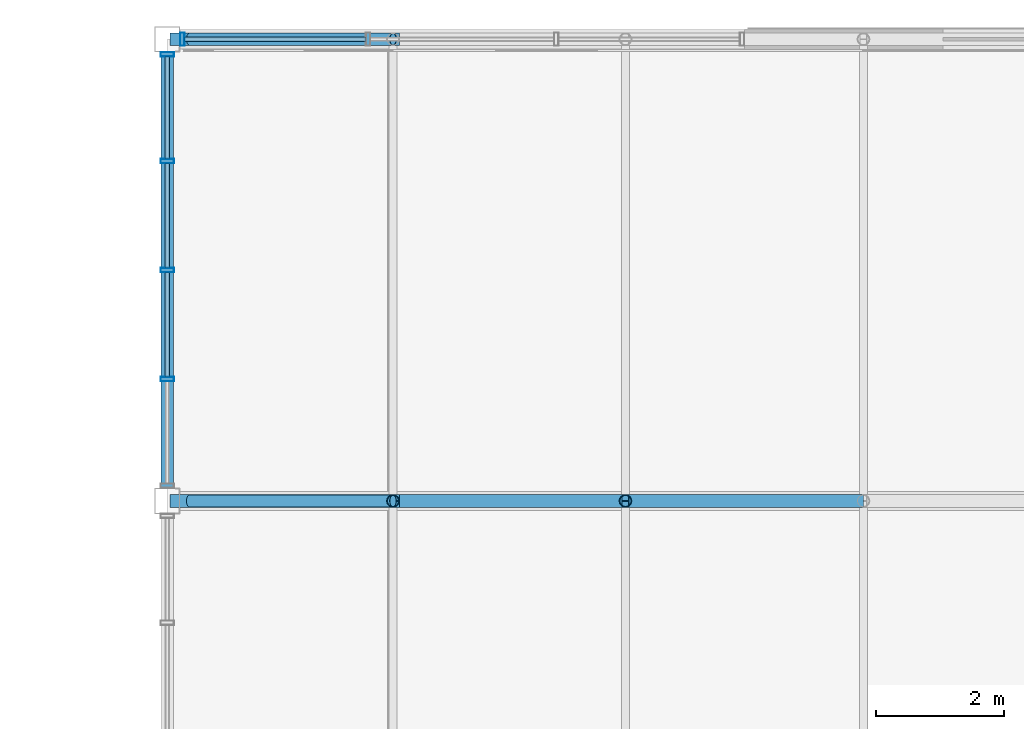
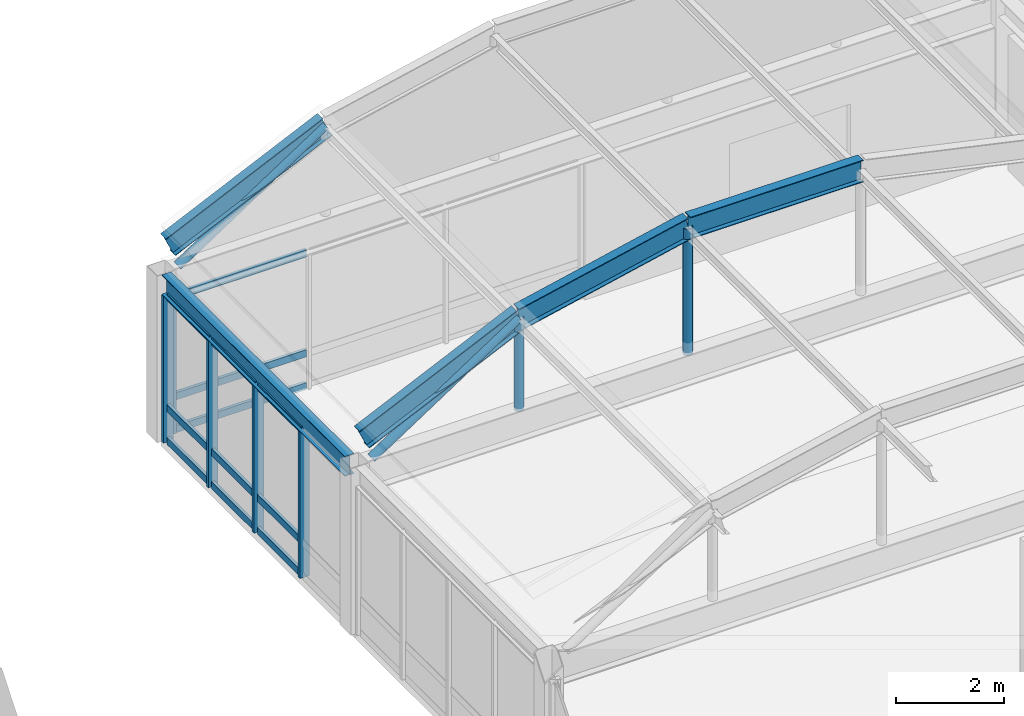
# One storey, part 57 of 106: 25 members, 1 beam, 2 elements without a shape of their own.
"""IFC4 building model written with IfcOpenShell, lengths in metres."""

from ifc_helpers import new_model, si_unit, direction, frame, origin, origin_2d, place, context, subcontext, project, spatial, hollow_rectangle, hollow_circle, i_section, extrude, material, material_profile, profile_set, type_object, element, aggregate, save


model = new_model("IFC4")

# Units and contexts
model_context = context("Model", 3, precision=1e-05, world=origin(), true_north=direction((0.0, 1.0)))
body_context = subcontext(model_context, "Body", "Model", "MODEL_VIEW")
ifc_project = project(units=[si_unit("LENGTHUNIT", "METRE"), si_unit("AREAUNIT", "SQUARE_METRE"), si_unit("VOLUMEUNIT", "CUBIC_METRE"), si_unit("PLANEANGLEUNIT", "RADIAN"), si_unit("MASSUNIT", "GRAM", prefix="KILO")], contexts=[model_context])

# Site, building, storey
site_placement = place(None, origin())
site = spatial("IfcSite", under=ifc_project, at=site_placement, CompositionType="ELEMENT")
building_placement = place(site_placement, origin())
building = spatial("IfcBuilding", under=site, at=building_placement, Name="Kazanami Central Library", CompositionType="ELEMENT")
storey_placement = place(building_placement, frame((0.0, 0.0, 12.800048828125)))
storey = spatial("IfcBuildingStorey", under=building, at=storey_placement, Name="L04", CompositionType="ELEMENT", Elevation=12.800048828125)

# Beam
ifc_material_1 = material(Name="Steel SN490B (325 MPa)", Category="steel")
ifc_material_profile_1 = material_profile(ifc_material_1, i_section(OverallWidth=0.199951171875, OverallDepth=0.449951171875, WebThickness=0.009033203125, FlangeThickness=0.013916015625, at=origin_2d()), Name="H-450x200x9x14")
ifc_profile_set_1 = profile_set([ifc_material_profile_1], Name="Steel SN490B (325 MPa)")
beam_type = type_object("IfcBeamType", Name="BM-SP-2", PredefinedType="SPANDREL", material=ifc_profile_set_1)
beam_placement = place(storey_placement, frame((45.0, 86.597900390625, 3.554931640625), z_axis=(0.0, 1.0, 0.0), x_axis=(-1.0, 0.0, 0.0)))
element("IfcBeam", 1, at=beam_placement, inside=storey, type_object=beam_type, Name="Girder SP-2 L04 6/N-O", PredefinedType="SPANDREL", context=body_context, shape_type="SweptSolid", body=[
    extrude(i_section(OverallWidth=0.199951171875, OverallDepth=0.449951171875, WebThickness=0.009033203125, FlangeThickness=0.013916015625, at=origin_2d()), origin(), (0.0, 0.0, 1.0), 6.80419921875),
])

# Members
ifc_material_profile_2 = material_profile(ifc_material_1, i_section(OverallWidth=0.199951171875, OverallDepth=0.5, WebThickness=0.010009765625, FlangeThickness=0.01611328125, at=origin_2d()), Name="H-500x200x10x16")
ifc_profile_set_2 = profile_set([ifc_material_profile_2], Name="Steel SN490B (325 MPa)")
member_type_1 = type_object("IfcMemberType", Name="MEM-AR-02", PredefinedType="CHORD", material=ifc_profile_set_2)
for number, where, z_axis, x_axis, name in (
    (2, (45.14990234375, 86.39990234375, 4.2548828125), (0.908074880538, 0.0, 0.41880784536), (0.0, 1.0, 0.0), "Barrel Vault Arch Rib AR-02 VAULT-WEST Grid N Seg 1"),
    (3, (48.519775390625, 86.39990234375, 5.80908203125), (0.976745687277, 0.0, 0.214401171606), (0.0, 1.0, 0.0), "Barrel Vault Arch Rib AR-02 VAULT-WEST Grid N Seg 2"),
    (4, (52.14453125, 86.39990234375, 6.604736328125), (1.0, 0.0, 0.0), (0.0, 1.0, 0.0), "Barrel Vault Arch Rib AR-02 VAULT-WEST Grid N Seg 3"),
    (5, (45.14990234375, 93.60009765625, 4.2548828125), (0.908074880538, 0.0, 0.41880784536), (0.0, 1.0, 0.0), "Barrel Vault Arch Rib AR-02 VAULT-WEST Grid O Seg 1"),
):
    element("IfcMember", number, at=place(storey_placement, frame(where, z_axis=z_axis, x_axis=x_axis)), inside=storey, type_object=member_type_1, Name=name, PredefinedType="CHORD", context=body_context, shape_type="SweptSolid", body=[
        extrude(i_section(OverallWidth=0.199951171875, OverallDepth=0.5, WebThickness=0.010009765625, FlangeThickness=0.01611328125, at=origin_2d()), origin(), (0.0, 0.0, 1.0), 3.7109375),
    ])

# Curtain wall, member
ifc_material_2 = material(Name="Acid-Etched Low-E Laminated Glass", Category="glass")
curtain_wall_type_1 = type_object("IfcCurtainWallType", Name="CW-8800x3080-M275", PredefinedType="USERDEFINED", material=ifc_material_2)
curtain_wall_1_placement = place(storey_placement, origin())
curtain_wall_1 = element("IfcCurtainWall", 6, at=curtain_wall_1_placement, inside=storey, type_object=curtain_wall_type_1, Name="Unitised Curtain Wall CW-42 L04 N-O-05", ObjectType="UNITISED CURTAIN WALL", PredefinedType="USERDEFINED")
ifc_material_3 = material(Name="Anodised Aluminium A6063-T5", Category="aluminium")
ifc_material_profile_3 = material_profile(ifc_material_3, hollow_rectangle(XDim=0.070068359375, YDim=0.2099609375, WallThickness=0.0048828125, at=origin_2d()), Name="ALU-MULL-70x210x5")
ifc_profile_set_3 = profile_set([ifc_material_profile_3], Name="Anodised Aluminium A6063-T5")
member_type_2 = type_object("IfcMemberType", Name="MEM-CW-M1", PredefinedType="MULLION", material=ifc_profile_set_3)
member_1_placement = place(storey_placement, frame((45.235107421875, 93.60009765625, 0.0), z_axis=(0.0, 0.0, 1.0), x_axis=(-1.0, 0.0, 0.0)))
member_1 = element("IfcMember", 7, at=member_1_placement, type_object=member_type_2, Name="CW-42 mullion 4", PredefinedType="MULLION", context=body_context, shape_type="SweptSolid", body=[
    extrude(hollow_rectangle(XDim=0.070068359375, YDim=0.2099609375, WallThickness=0.0048828125, at=origin_2d()), origin(), (0.0, 0.0, 1.0), 3.079833984375),
])

# Curtain wall, members
curtain_wall_type_2 = type_object("IfcCurtainWallType", Name="CW-6800x3330-M180", PredefinedType="USERDEFINED", material=ifc_material_2)
curtain_wall_2_placement = place(storey_placement, origin())
curtain_wall_2 = element("IfcCurtainWall", 8, at=curtain_wall_2_placement, inside=storey, type_object=curtain_wall_type_2, Name="Covered Link Bridge Curtain Wall CW-44 L04 W-6-12", ObjectType="UNITISED CURTAIN WALL", PredefinedType="USERDEFINED")
member_2_placement = place(storey_placement, frame((45.0, 88.300048828125, 0.0), z_axis=(0.0, 0.0, 1.0), x_axis=(0.0, 1.0, 0.0)))
member_2 = element("IfcMember", 9, at=member_2_placement, type_object=member_type_2, Name="CW-44 mullion 2", PredefinedType="MULLION", context=body_context, shape_type="SweptSolid", body=[
    extrude(hollow_rectangle(XDim=0.070068359375, YDim=0.2099609375, WallThickness=0.0048828125, at=origin_2d()), origin(), (0.0, 0.0, 1.0), 3.329833984375),
])
member_3_placement = place(storey_placement, frame((45.0, 90.0, 0.0), z_axis=(0.0, 0.0, 1.0), x_axis=(0.0, 1.0, 0.0)))
member_3 = element("IfcMember", 10, at=member_3_placement, type_object=member_type_2, Name="CW-44 mullion 3", PredefinedType="MULLION", context=body_context, shape_type="SweptSolid", body=[
    extrude(hollow_rectangle(XDim=0.070068359375, YDim=0.2099609375, WallThickness=0.0048828125, at=origin_2d()), origin(), (0.0, 0.0, 1.0), 3.329833984375),
])
member_4_placement = place(storey_placement, frame((45.0, 91.699951171875, 0.0), z_axis=(0.0, 0.0, 1.0), x_axis=(0.0, 1.0, 0.0)))
member_4 = element("IfcMember", 11, at=member_4_placement, type_object=member_type_2, Name="CW-44 mullion 4", PredefinedType="MULLION", context=body_context, shape_type="SweptSolid", body=[
    extrude(hollow_rectangle(XDim=0.070068359375, YDim=0.2099609375, WallThickness=0.0048828125, at=origin_2d()), origin(), (0.0, 0.0, 1.0), 3.329833984375),
])
member_5_placement = place(storey_placement, frame((45.0, 93.364990234375, 0.0), z_axis=(0.0, 0.0, 1.0), x_axis=(0.0, 1.0, 0.0)))
member_5 = element("IfcMember", 12, at=member_5_placement, type_object=member_type_2, Name="CW-44 mullion 5", PredefinedType="MULLION", context=body_context, shape_type="SweptSolid", body=[
    extrude(hollow_rectangle(XDim=0.070068359375, YDim=0.2099609375, WallThickness=0.0048828125, at=origin_2d()), origin(), (0.0, 0.0, 1.0), 3.329833984375),
])

# Member
ifc_material_profile_4 = material_profile(ifc_material_3, hollow_rectangle(XDim=0.070068359375, YDim=0.159912109375, WallThickness=0.00390625, at=origin_2d()), Name="ALU-TRAN-70x160x4")
ifc_profile_set_4 = profile_set([ifc_material_profile_4], Name="Anodised Aluminium A6063-T5")
member_type_3 = type_object("IfcMemberType", Name="MEM-CW-T1", PredefinedType="USERDEFINED", material=ifc_profile_set_4)
member_6_placement = place(storey_placement, frame((48.098388671875, 93.60009765625, 0.034912109375), z_axis=(-1.0, 0.0, 0.0), x_axis=(0.0, -1.0, 0.0)))
member_6 = element("IfcMember", 13, at=member_6_placement, type_object=member_type_3, Name="CW-42 transom 3.1", ObjectType="TRANSOM", PredefinedType="USERDEFINED", context=body_context, shape_type="SweptSolid", body=[
    extrude(hollow_rectangle(XDim=0.070068359375, YDim=0.159912109375, WallThickness=0.00390625, at=origin_2d()), origin(), (0.0, 0.0, 1.0), 2.828369140625),
])

member_7_placement = place(storey_placement, frame((48.098388671875, 93.60009765625, 0.780029296875), z_axis=(-1.0, 0.0, 0.0), x_axis=(0.0, -1.0, 0.0)))
member_7 = element("IfcMember", 14, at=member_7_placement, type_object=member_type_3, Name="CW-42 transom 3.2", ObjectType="TRANSOM", PredefinedType="USERDEFINED", context=body_context, shape_type="SweptSolid", body=[
    extrude(hollow_rectangle(XDim=0.070068359375, YDim=0.159912109375, WallThickness=0.00390625, at=origin_2d()), origin(), (0.0, 0.0, 1.0), 2.828369140625),
])

member_8_placement = place(storey_placement, frame((48.098388671875, 93.60009765625, 3.044921875), z_axis=(-1.0, 0.0, 0.0), x_axis=(0.0, -1.0, 0.0)))
member_8 = element("IfcMember", 15, at=member_8_placement, type_object=member_type_3, Name="CW-42 transom 3.3", ObjectType="TRANSOM", PredefinedType="USERDEFINED", context=body_context, shape_type="SweptSolid", body=[
    extrude(hollow_rectangle(XDim=0.070068359375, YDim=0.159912109375, WallThickness=0.00390625, at=origin_2d()), origin(), (0.0, 0.0, 1.0), 2.828369140625),
])

aggregate(curtain_wall_1, [member_1, member_6, member_7, member_8])

member_9_placement = place(storey_placement, frame((45.0, 88.3349609375, 0.034912109375), z_axis=(0.0, 1.0, 0.0), x_axis=(-1.0, 0.0, 0.0)))
member_9 = element("IfcMember", 16, at=member_9_placement, type_object=member_type_3, Name="CW-44 transom 2.1", ObjectType="TRANSOM", PredefinedType="USERDEFINED", context=body_context, shape_type="SweptSolid", body=[
    extrude(hollow_rectangle(XDim=0.070068359375, YDim=0.159912109375, WallThickness=0.00390625, at=origin_2d()), origin(), (0.0, 0.0, 1.0), 1.630126953125),
])

member_10_placement = place(storey_placement, frame((45.0, 88.3349609375, 0.780029296875), z_axis=(0.0, 1.0, 0.0), x_axis=(-1.0, 0.0, 0.0)))
member_10 = element("IfcMember", 17, at=member_10_placement, type_object=member_type_3, Name="CW-44 transom 2.2", ObjectType="TRANSOM", PredefinedType="USERDEFINED", context=body_context, shape_type="SweptSolid", body=[
    extrude(hollow_rectangle(XDim=0.070068359375, YDim=0.159912109375, WallThickness=0.00390625, at=origin_2d()), origin(), (0.0, 0.0, 1.0), 1.630126953125),
])

member_11_placement = place(storey_placement, frame((45.0, 88.3349609375, 3.294921875), z_axis=(0.0, 1.0, 0.0), x_axis=(-1.0, 0.0, 0.0)))
member_11 = element("IfcMember", 18, at=member_11_placement, type_object=member_type_3, Name="CW-44 transom 2.3", ObjectType="TRANSOM", PredefinedType="USERDEFINED", context=body_context, shape_type="SweptSolid", body=[
    extrude(hollow_rectangle(XDim=0.070068359375, YDim=0.159912109375, WallThickness=0.00390625, at=origin_2d()), origin(), (0.0, 0.0, 1.0), 1.630126953125),
])

member_12_placement = place(storey_placement, frame((45.0, 90.034912109375, 0.034912109375), z_axis=(0.0, 1.0, 0.0), x_axis=(-1.0, 0.0, 0.0)))
member_12 = element("IfcMember", 19, at=member_12_placement, type_object=member_type_3, Name="CW-44 transom 3.1", ObjectType="TRANSOM", PredefinedType="USERDEFINED", context=body_context, shape_type="SweptSolid", body=[
    extrude(hollow_rectangle(XDim=0.070068359375, YDim=0.159912109375, WallThickness=0.00390625, at=origin_2d()), origin(), (0.0, 0.0, 1.0), 1.630126953125),
])

member_13_placement = place(storey_placement, frame((45.0, 90.034912109375, 0.780029296875), z_axis=(0.0, 1.0, 0.0), x_axis=(-1.0, 0.0, 0.0)))
member_13 = element("IfcMember", 20, at=member_13_placement, type_object=member_type_3, Name="CW-44 transom 3.2", ObjectType="TRANSOM", PredefinedType="USERDEFINED", context=body_context, shape_type="SweptSolid", body=[
    extrude(hollow_rectangle(XDim=0.070068359375, YDim=0.159912109375, WallThickness=0.00390625, at=origin_2d()), origin(), (0.0, 0.0, 1.0), 1.630126953125),
])

member_14_placement = place(storey_placement, frame((45.0, 90.034912109375, 3.294921875), z_axis=(0.0, 1.0, 0.0), x_axis=(-1.0, 0.0, 0.0)))
member_14 = element("IfcMember", 21, at=member_14_placement, type_object=member_type_3, Name="CW-44 transom 3.3", ObjectType="TRANSOM", PredefinedType="USERDEFINED", context=body_context, shape_type="SweptSolid", body=[
    extrude(hollow_rectangle(XDim=0.070068359375, YDim=0.159912109375, WallThickness=0.00390625, at=origin_2d()), origin(), (0.0, 0.0, 1.0), 1.630126953125),
])

member_15_placement = place(storey_placement, frame((45.0, 91.735107421875, 0.034912109375), z_axis=(0.0, 1.0, 0.0), x_axis=(-1.0, 0.0, 0.0)))
member_15 = element("IfcMember", 22, at=member_15_placement, type_object=member_type_3, Name="CW-44 transom 4.1", ObjectType="TRANSOM", PredefinedType="USERDEFINED", context=body_context, shape_type="SweptSolid", body=[
    extrude(hollow_rectangle(XDim=0.070068359375, YDim=0.159912109375, WallThickness=0.00390625, at=origin_2d()), origin(), (0.0, 0.0, 1.0), 1.594970703125),
])

member_16_placement = place(storey_placement, frame((45.0, 91.735107421875, 0.780029296875), z_axis=(0.0, 1.0, 0.0), x_axis=(-1.0, 0.0, 0.0)))
member_16 = element("IfcMember", 23, at=member_16_placement, type_object=member_type_3, Name="CW-44 transom 4.2", ObjectType="TRANSOM", PredefinedType="USERDEFINED", context=body_context, shape_type="SweptSolid", body=[
    extrude(hollow_rectangle(XDim=0.070068359375, YDim=0.159912109375, WallThickness=0.00390625, at=origin_2d()), origin(), (0.0, 0.0, 1.0), 1.594970703125),
])

member_17_placement = place(storey_placement, frame((45.0, 91.735107421875, 3.294921875), z_axis=(0.0, 1.0, 0.0), x_axis=(-1.0, 0.0, 0.0)))
member_17 = element("IfcMember", 24, at=member_17_placement, type_object=member_type_3, Name="CW-44 transom 4.3", ObjectType="TRANSOM", PredefinedType="USERDEFINED", context=body_context, shape_type="SweptSolid", body=[
    extrude(hollow_rectangle(XDim=0.070068359375, YDim=0.159912109375, WallThickness=0.00390625, at=origin_2d()), origin(), (0.0, 0.0, 1.0), 1.594970703125),
])

aggregate(curtain_wall_2, [member_2, member_3, member_4, member_5, member_9, member_10, member_11, member_12, member_13, member_14, member_15, member_16, member_17])

# Members
ifc_material_4 = material(Name="Steel STK490 (315 MPa)", Category="steel")
ifc_material_profile_5 = material_profile(ifc_material_4, hollow_circle(Radius=0.095458984375, WallThickness=0.007080078125, at=origin_2d()), Name="CHS-190.7x7.0")
ifc_profile_set_5 = profile_set([ifc_material_profile_5], Name="Steel STK490 (315 MPa)")
member_type_4 = type_object("IfcMemberType", Name="MEM-VST-190", PredefinedType="STRUT", material=ifc_profile_set_5)
member_18_placement = place(storey_placement, frame((48.519775390625, 86.39990234375, 3.71484375), z_axis=(0.0, 0.0, 1.0), x_axis=(1.0, 0.0, 0.0)))
element("IfcMember", 25, at=member_18_placement, inside=storey, type_object=member_type_4, Name="Barrel Vault Tied-Arch Web Strut VAULT-WEST Grid N Knuckle 1", PredefinedType="STRUT", context=body_context, shape_type="SweptSolid", body=[
    extrude(hollow_circle(Radius=0.095458984375, WallThickness=0.007080078125, at=origin_2d()), origin(), (0.0, 0.0, 1.0), 2.07421875),
])
member_19_placement = place(storey_placement, frame((52.14453125, 86.39990234375, 3.71484375), z_axis=(0.0, 0.0, 1.0), x_axis=(1.0, 0.0, 0.0)))
element("IfcMember", 26, at=member_19_placement, inside=storey, type_object=member_type_4, Name="Barrel Vault Tied-Arch Web Strut VAULT-WEST Grid N Knuckle 2", PredefinedType="STRUT", context=body_context, shape_type="SweptSolid", body=[
    extrude(hollow_circle(Radius=0.095458984375, WallThickness=0.007080078125, at=origin_2d()), origin(), (0.0, 0.0, 1.0), 2.869873046875),
])
for number, where, z_axis, x_axis, name in (
    (27, (45.35009765625, 86.39990234375, 3.71484375), (0.836759504137, 0.0, 0.547570572837), (0.0, 1.0, 0.0), "Barrel Vault Tied-Arch Diagonal VAULT-WEST Grid N (L)"),
    (28, (45.35009765625, 93.60009765625, 3.71484375), (0.836759504137, 0.0, 0.547570572837), (0.0, 1.0, 0.0), "Barrel Vault Tied-Arch Diagonal VAULT-WEST Grid O (L)"),
):
    element("IfcMember", number, at=place(storey_placement, frame(where, z_axis=z_axis, x_axis=x_axis)), inside=storey, type_object=member_type_4, Name=name, PredefinedType="BRACE", context=body_context, shape_type="SweptSolid", body=[
        extrude(hollow_circle(Radius=0.095458984375, WallThickness=0.007080078125, at=origin_2d()), origin(), (0.0, 0.0, 1.0), 3.7880859375),
    ])

save(model, "model.ifc")
